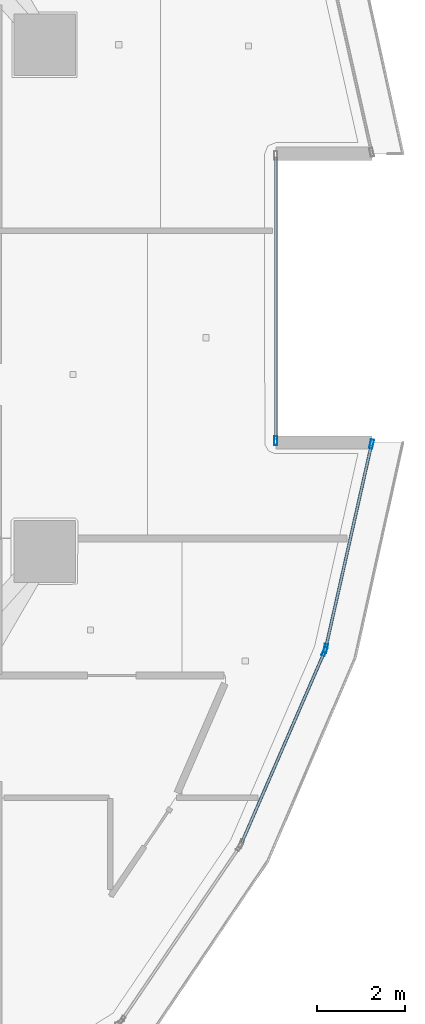
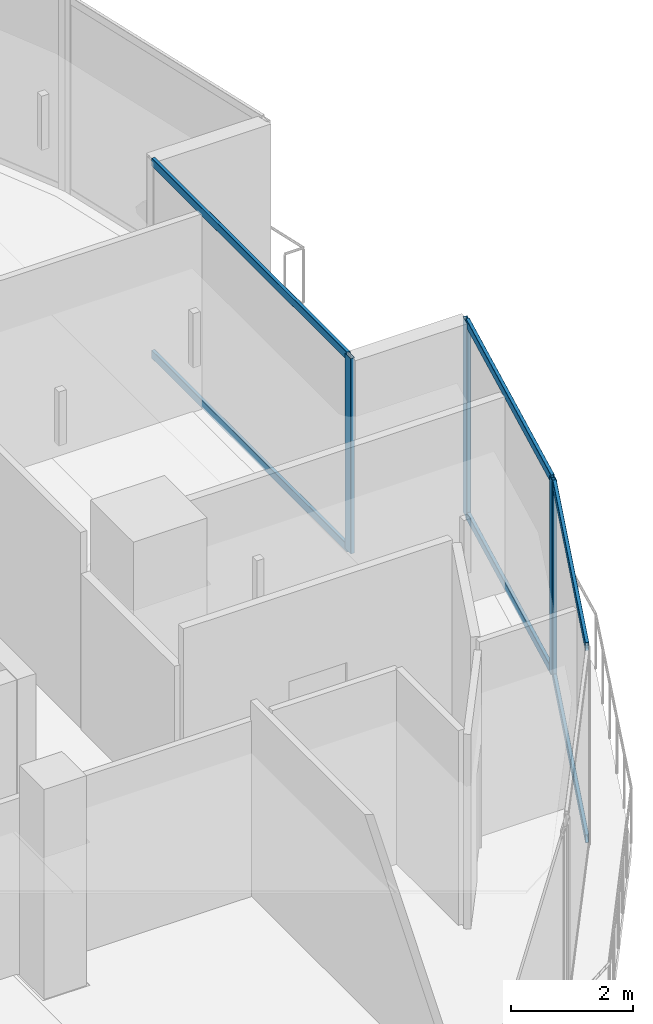
# One storey, part 10 of 25: 10 members, 3 elements without a shape of their own.
"""IFC4 building model written with IfcOpenShell, lengths in metres."""

import ifcopenshell
import ifcopenshell.guid

model = None  # the IFC model being written
_history = None  # IfcOwnerHistory: only IFC2X3 demands one
_inside = {}  # id of a spatial element -> (the spatial element, [elements in it])
_under = {}  # id of a project, library or spatial element -> (it, [spatial elements below it])
_declared = {}  # id of a project -> (the project, [libraries it declares])
_typed = {}  # id of a type object -> (the type object, [elements of that type])
_made_of = {}  # id of a material, layer set ... -> (it, [elements and type objects made of it])


def new_model(schema):
    """Start an empty IFC model of exactly this schema.

    Asked for "IFC4X3", IfcOpenShell would pick the latest addendum, in which some entities
    have other attributes; the version numbers below select the first issue.
    IFC2X3 requires an IfcOwnerHistory on every rooted entity: one is made here for all.
    """
    global model, _history
    if schema == "IFC4X3":
        model = ifcopenshell.file(schema_version=(4, 3, 0, 0))
    else:
        model = ifcopenshell.file(schema=schema)
    _inside.clear()
    _under.clear()
    _declared.clear()
    _typed.clear()
    _made_of.clear()
    _history = None
    if model.schema == "IFC2X3":
        org = make("IfcOrganization", Name="unknown")
        user = make(
            "IfcPersonAndOrganization",
            ThePerson=make("IfcPerson", FamilyName="unknown"),
            TheOrganization=org,
        )
        app = make(
            "IfcApplication",
            ApplicationDeveloper=org,
            Version="unknown",
            ApplicationFullName="unknown",
            ApplicationIdentifier="unknown",
        )
        _history = make(
            "IfcOwnerHistory",
            OwningUser=user,
            OwningApplication=app,
            ChangeAction="ADDED",
            CreationDate=0,
        )
    return model


def make(cls, **values):
    """One entity of the class cls with the attributes given. An attribute that is None is left unset."""
    return model.create_entity(
        cls, **{name: value for name, value in values.items() if value is not None}
    )


def rooted(cls, **values):
    """An entity with a GlobalId (a new one), such as an element, a storey or a relation."""
    return make(cls, GlobalId=ifcopenshell.guid.new(), OwnerHistory=_history, **values)


def si_unit(unit_type, name, prefix=None):
    """IfcSIUnit, for example si_unit("LENGTHUNIT", "METRE", prefix="MILLI")."""
    return make("IfcSIUnit", UnitType=unit_type, Prefix=prefix, Name=name)


def assignment(units):
    """IfcUnitAssignment: the units of a project."""
    return None if units is None else make("IfcUnitAssignment", Units=units)


def point(xyz):
    """IfcCartesianPoint."""
    return None if xyz is None else make("IfcCartesianPoint", Coordinates=xyz)


def direction(xyz):
    """IfcDirection."""
    return None if xyz is None else make("IfcDirection", DirectionRatios=xyz)


def frame(location, z_axis=None, x_axis=None):
    """IfcAxis2Placement3D, a coordinate frame: its origin and axes. An axis left out is left unset."""
    return make(
        "IfcAxis2Placement3D",
        Location=point(location),
        Axis=direction(z_axis),
        RefDirection=direction(x_axis),
    )


def frame_2d(location, x_axis=None):
    """IfcAxis2Placement2D, a coordinate frame in the plane: its origin and x axis."""
    return make(
        "IfcAxis2Placement2D", Location=point(location), RefDirection=direction(x_axis)
    )


def origin():
    """The frame at (0, 0, 0) with its axes left unset."""
    return frame((0.0, 0.0, 0.0))


def origin_2d():
    """The frame at (0, 0) in the plane with its x axis left unset."""
    return frame_2d((0.0, 0.0))


def place(relative_to, where):
    """IfcLocalPlacement: puts the frame where relative to a parent placement (None: the world)."""
    return make(
        "IfcLocalPlacement", PlacementRelTo=relative_to, RelativePlacement=where
    )


def context(
    kind, dimensions, precision=None, world=None, true_north=None, identifier=None
):
    """IfcGeometricRepresentationContext, for example the 3D "Model" context."""
    return make(
        "IfcGeometricRepresentationContext",
        ContextIdentifier=identifier,
        ContextType=kind,
        CoordinateSpaceDimension=dimensions,
        Precision=precision,
        WorldCoordinateSystem=world,
        TrueNorth=true_north,
    )


def subcontext(parent, identifier, kind, view, scale=None):
    """IfcGeometricRepresentationSubContext, for example "Body" below "Model"."""
    return make(
        "IfcGeometricRepresentationSubContext",
        ContextIdentifier=identifier,
        ContextType=kind,
        ParentContext=parent,
        TargetScale=scale,
        TargetView=view,
    )


def project(units=None, contexts=None):
    """IfcProject with its units and contexts."""
    return rooted(
        "IfcProject",
        Name="project",
        RepresentationContexts=contexts,
        UnitsInContext=assignment(units),
    )


def spatial(cls, under=None, at=None, **own):
    """A site, building, storey or space (cls), placed at a placement, below another one or the project."""
    s = rooted(cls, ObjectPlacement=at, **own)
    if under is not None:
        _under.setdefault(under.id(), (under, []))[1].append(s)
    return s


def profile(cls, at=None, kind="AREA", **sizes):
    """A parametric profile (cls). Its sizes go by their IFC names, for example OverallWidth=200.0."""
    return make(cls, ProfileType=kind, Position=at, **sizes)


def hollow_rectangle(**sizes):
    """IfcRectangleHollowProfileDef."""
    return profile("IfcRectangleHollowProfileDef", **sizes)


def extrude(swept, where, along, depth):
    """IfcExtrudedAreaSolid: the profile swept, set in the frame where, extruded along a direction by depth."""
    return make(
        "IfcExtrudedAreaSolid",
        SweptArea=swept,
        Position=where,
        ExtrudedDirection=direction(along),
        Depth=depth,
    )


def shape(context_of_items, identifier, shape_type, items):
    """IfcShapeRepresentation: the items that make up one representation, for example the "Body"."""
    return make(
        "IfcShapeRepresentation",
        ContextOfItems=context_of_items,
        RepresentationIdentifier=identifier,
        RepresentationType=shape_type,
        Items=items,
    )


def material(Name=None, Category=None):
    """IfcMaterial."""
    return make("IfcMaterial", Name=Name, Category=Category)


def layer(
    of_material, thickness, ventilated=None, Name=None, Category=None, Priority=None
):
    """IfcMaterialLayer: one layer of a wall or slab, of a material (None: an air gap)."""
    return make(
        "IfcMaterialLayer",
        Material=of_material,
        LayerThickness=thickness,
        IsVentilated=ventilated,
        Name=Name,
        Category=Category,
        Priority=Priority,
    )


def layer_set(layers, Name=None):
    """IfcMaterialLayerSet."""
    return make("IfcMaterialLayerSet", MaterialLayers=layers, LayerSetName=Name)


def material_profile(
    of_material, cross_section, Name=None, Category=None, Priority=None
):
    """IfcMaterialProfile: a cross section and its material."""
    return make(
        "IfcMaterialProfile",
        Name=Name,
        Material=of_material,
        Profile=cross_section,
        Priority=Priority,
        Category=Category,
    )


def profile_set(profiles, Name=None, composite=None):
    """IfcMaterialProfileSet."""
    return make(
        "IfcMaterialProfileSet",
        Name=Name,
        MaterialProfiles=profiles,
        CompositeProfile=composite,
    )


def made_of(thing, what):
    """Note that an element or type object is made of a material, layer set ...; save() writes the relation."""
    if what is not None:
        _made_of.setdefault(what.id(), (what, []))[1].append(thing)
    return thing


def type_object(cls, material=None, **own):
    """A type object (cls), such as IfcWallType, which elements share."""
    return made_of(rooted(cls, **own), material)


def element(
    cls,
    number,
    at=None,
    inside=None,
    cuts=None,
    type_object=None,
    material=None,
    context=None,
    identifier="Body",
    shape_type=None,
    held_by="IfcProductDefinitionShape",
    body=None,
    shapes=None,
    **own,
):
    """One element of the class cls, such as IfcWall. Its Tag is "e" and its number.

    at: its placement. inside: the storey or other place that contains it. cuts: it is an
    opening in that element (IfcRelVoidsElement). A single representation is given by context,
    identifier, shape_type and body (its items); several are given by shapes. held_by: the class
    of the entity that holds the representations. save() writes the other relations.
    """
    e = rooted(cls, Tag="e%d" % number, ObjectPlacement=at, **own)
    if body is not None:
        shapes = [shape(context, identifier, shape_type, body)]
    if shapes is not None:
        e.Representation = make(held_by, Representations=shapes)
    if inside is not None:
        _inside.setdefault(inside.id(), (inside, []))[1].append(e)
    if cuts is not None:
        rooted(
            "IfcRelVoidsElement", RelatingBuildingElement=cuts, RelatedOpeningElement=e
        )
    if type_object is not None:
        _typed.setdefault(type_object.id(), (type_object, []))[1].append(e)
    return made_of(e, material)


def aggregate(whole, parts):
    """IfcRelAggregates: a whole, such as a stair, and the parts it consists of."""
    return rooted("IfcRelAggregates", RelatingObject=whole, RelatedObjects=parts)


def save(model, path):
    """Write the relations noted so far, then the file.

    IfcRelAggregates (storeys below a building ...), IfcRelContainedInSpatialStructure (elements
    in a storey), IfcRelDefinesByType, IfcRelAssociatesMaterial and IfcRelDeclares: one each for
    every whole, place, type object, material and project.
    """
    for whole, parts in _under.values():
        aggregate(whole, parts)
    for where, things in _inside.values():
        rooted(
            "IfcRelContainedInSpatialStructure",
            RelatedElements=things,
            RelatingStructure=where,
        )
    for kind, things in _typed.values():
        rooted("IfcRelDefinesByType", RelatedObjects=things, RelatingType=kind)
    for what, things in _made_of.values():
        rooted("IfcRelAssociatesMaterial", RelatedObjects=things, RelatingMaterial=what)
    for by, libraries in _declared.values():
        rooted("IfcRelDeclares", RelatingContext=by, RelatedDefinitions=libraries)
    model.write(path)


model = new_model("IFC4")

# Units and contexts
model_context = context("Model", 3, precision=1e-05, world=origin(), true_north=direction((0.0, 1.0)))
body_context = subcontext(model_context, "Body", "Model", "MODEL_VIEW")
ifc_project = project(units=[si_unit("LENGTHUNIT", "METRE"), si_unit("AREAUNIT", "SQUARE_METRE"), si_unit("VOLUMEUNIT", "CUBIC_METRE"), si_unit("PLANEANGLEUNIT", "RADIAN"), si_unit("MASSUNIT", "GRAM", prefix="KILO")], contexts=[model_context])

# Site, building, storey
site_placement = place(None, origin())
site = spatial("IfcSite", under=ifc_project, at=site_placement, CompositionType="ELEMENT")
building_placement = place(site_placement, origin())
building = spatial("IfcBuilding", under=site, at=building_placement, Name="Qorvath Tower", CompositionType="ELEMENT")
storey_placement = place(building_placement, frame((0.0, 0.0, 314.39990234375)))
storey = spatial("IfcBuildingStorey", under=building, at=storey_placement, Name="L73", CompositionType="ELEMENT", Elevation=314.39990234375)

# Curtain wall, member
ifc_material_1 = material(Name="Anodised aluminium and triple low-E glass", Category="aluminium")
ifc_layer = layer(ifc_material_1, 0.179931640625)
ifc_layer_set = layer_set([ifc_layer], Name="CW-SYS-4")
curtain_wall_type = type_object("IfcCurtainWallType", Name="CW-SYS-4", PredefinedType="NOTDEFINED", material=ifc_layer_set)
curtain_wall_1_placement = place(storey_placement, origin())
curtain_wall_1 = element("IfcCurtainWall", 1, at=curtain_wall_1_placement, inside=storey, type_object=curtain_wall_type, Name="Curtain Wall CW-4 CW-T-L73-6.1", PredefinedType="NOTDEFINED")
ifc_material_2 = material(Name="Anodised aluminium 6063-T6", Category="aluminium")
ifc_material_profile_1 = material_profile(ifc_material_2, hollow_rectangle(XDim=0.074951171875, YDim=0.199951171875, WallThickness=0.00390625, InnerFilletRadius=0.00390625, OuterFilletRadius=0.008056640625, at=origin_2d()), Name="CWM 200x75")
ifc_profile_set_1 = profile_set([ifc_material_profile_1], Name="Anodised aluminium 6063-T6")
member_type_1 = type_object("IfcMemberType", Name="CWM-200", PredefinedType="MULLION", material=ifc_profile_set_1)
member_1_placement = place(storey_placement, frame((-5.733642578125, -8.030517578125, 0.0), z_axis=(0.0, 0.0, 1.0), x_axis=(-0.917479167341, 0.397783832623, 0.0)))
member_1 = element("IfcMember", 2, at=member_1_placement, type_object=member_type_1, Name="CW-4 mullion 2", PredefinedType="MULLION", context=body_context, shape_type="SweptSolid", body=[
    extrude(hollow_rectangle(XDim=0.074951171875, YDim=0.199951171875, WallThickness=0.00390625, InnerFilletRadius=0.00390625, OuterFilletRadius=0.008056640625, at=origin_2d()), origin(), (0.0, 0.0, 1.0), 3.91015625),
])

# Curtain wall, members
curtain_wall_2_placement = place(storey_placement, origin())
curtain_wall_2 = element("IfcCurtainWall", 3, at=curtain_wall_2_placement, inside=storey, type_object=curtain_wall_type, Name="Curtain Wall CW-4 CW-T-L73-7.1", PredefinedType="NOTDEFINED")
member_2_placement = place(storey_placement, frame((-5.71044921875, -7.95947265625, 0.0), z_axis=(0.0, 0.0, 1.0), x_axis=(-0.975610531022, 0.219508750985, 0.0)))
member_2 = element("IfcMember", 4, at=member_2_placement, type_object=member_type_1, Name="CW-4 mullion 1", PredefinedType="MULLION", context=body_context, shape_type="SweptSolid", body=[
    extrude(hollow_rectangle(XDim=0.074951171875, YDim=0.199951171875, WallThickness=0.00390625, InnerFilletRadius=0.00390625, OuterFilletRadius=0.008056640625, at=origin_2d()), origin(), (0.0, 0.0, 1.0), 3.91015625),
])
member_3_placement = place(storey_placement, frame((-4.66552734375, -3.314453125, 0.0), z_axis=(0.0, 0.0, 1.0), x_axis=(-0.975610531022, 0.219508750985, 0.0)))
member_3 = element("IfcMember", 5, at=member_3_placement, type_object=member_type_1, Name="CW-4 mullion 2", PredefinedType="MULLION", context=body_context, shape_type="SweptSolid", body=[
    extrude(hollow_rectangle(XDim=0.074951171875, YDim=0.199951171875, WallThickness=0.00390625, InnerFilletRadius=0.00390625, OuterFilletRadius=0.008056640625, at=origin_2d()), origin(), (0.0, 0.0, 1.0), 3.91015625),
])

# Curtain wall, member
curtain_wall_3_placement = place(storey_placement, origin())
curtain_wall_3 = element("IfcCurtainWall", 6, at=curtain_wall_3_placement, inside=storey, type_object=curtain_wall_type, Name="Curtain Wall CW-4 CW-T-L73-9.1", PredefinedType="NOTDEFINED")
member_4_placement = place(storey_placement, frame((-6.84228515625, -3.240234375, 0.0), z_axis=(0.0, 0.0, 1.0), x_axis=(-1.0, 0.0, 0.0)))
member_4 = element("IfcMember", 7, at=member_4_placement, type_object=member_type_1, Name="CW-4 mullion 1", PredefinedType="MULLION", context=body_context, shape_type="SweptSolid", body=[
    extrude(hollow_rectangle(XDim=0.074951171875, YDim=0.199951171875, WallThickness=0.00390625, InnerFilletRadius=0.00390625, OuterFilletRadius=0.008056640625, at=origin_2d()), origin(), (0.0, 0.0, 1.0), 3.91015625),
])

# Member
ifc_material_3 = material(Name="Anodised aluminium 6063-T6", Category="aluminium")
ifc_material_profile_2 = material_profile(ifc_material_3, hollow_rectangle(XDim=0.06494140625, YDim=0.159912109375, WallThickness=0.00341796875, InnerFilletRadius=0.00341796875, OuterFilletRadius=0.007080078125, at=origin_2d()), Name="CWT 160x65")
ifc_profile_set_2 = profile_set([ifc_material_profile_2], Name="Anodised aluminium 6063-T6")
member_type_2 = type_object("IfcMemberType", Name="CWT-160", PredefinedType="USERDEFINED", material=ifc_profile_set_2)
member_5_placement = place(storey_placement, frame((-7.61279296875, -12.364501953125, 0.032470703125), z_axis=(0.397807723761, 0.917468808689, 0.0), x_axis=(-0.917468808689, 0.397807723761, 0.0)))
member_5 = element("IfcMember", 8, at=member_5_placement, type_object=member_type_2, Name="CW-4 transom 1.1", ObjectType="TRANSOM", PredefinedType="USERDEFINED", context=body_context, shape_type="SweptSolid", body=[
    extrude(hollow_rectangle(XDim=0.06494140625, YDim=0.159912109375, WallThickness=0.00341796875, InnerFilletRadius=0.00341796875, OuterFilletRadius=0.007080078125, at=origin_2d()), origin(), (0.0, 0.0, 1.0), 4.686279296875),
])

member_6_placement = place(storey_placement, frame((-7.61279296875, -12.364501953125, 3.877685546875), z_axis=(0.397807723761, 0.917468808689, 0.0), x_axis=(-0.917468808689, 0.397807723761, 0.0)))
member_6 = element("IfcMember", 9, at=member_6_placement, type_object=member_type_2, Name="CW-4 transom 1.2", ObjectType="TRANSOM", PredefinedType="USERDEFINED", context=body_context, shape_type="SweptSolid", body=[
    extrude(hollow_rectangle(XDim=0.06494140625, YDim=0.159912109375, WallThickness=0.00341796875, InnerFilletRadius=0.00341796875, OuterFilletRadius=0.007080078125, at=origin_2d()), origin(), (0.0, 0.0, 1.0), 4.686279296875),
])

aggregate(curtain_wall_1, [member_1, member_5, member_6])

member_7_placement = place(storey_placement, frame((-5.702392578125, -7.9228515625, 0.032470703125), z_axis=(0.219544427467, 0.975602503261, 0.0), x_axis=(-0.975602503261, 0.219544427467, 0.0)))
member_7 = element("IfcMember", 10, at=member_7_placement, type_object=member_type_2, Name="CW-4 transom 1.1", ObjectType="TRANSOM", PredefinedType="USERDEFINED", context=body_context, shape_type="SweptSolid", body=[
    extrude(hollow_rectangle(XDim=0.06494140625, YDim=0.159912109375, WallThickness=0.00341796875, InnerFilletRadius=0.00341796875, OuterFilletRadius=0.007080078125, at=origin_2d()), origin(), (0.0, 0.0, 1.0), 4.68603515625),
])

member_8_placement = place(storey_placement, frame((-5.702392578125, -7.9228515625, 3.877685546875), z_axis=(0.219544427467, 0.975602503261, 0.0), x_axis=(-0.975602503261, 0.219544427467, 0.0)))
member_8 = element("IfcMember", 11, at=member_8_placement, type_object=member_type_2, Name="CW-4 transom 1.2", ObjectType="TRANSOM", PredefinedType="USERDEFINED", context=body_context, shape_type="SweptSolid", body=[
    extrude(hollow_rectangle(XDim=0.06494140625, YDim=0.159912109375, WallThickness=0.00341796875, InnerFilletRadius=0.00341796875, OuterFilletRadius=0.007080078125, at=origin_2d()), origin(), (0.0, 0.0, 1.0), 4.68603515625),
])

aggregate(curtain_wall_2, [member_2, member_3, member_7, member_8])

member_9_placement = place(storey_placement, frame((-6.84228515625, -3.202880859375, 0.032470703125), z_axis=(0.0, 1.0, 0.0), x_axis=(-1.0, 0.0, 0.0)))
member_9 = element("IfcMember", 12, at=member_9_placement, type_object=member_type_2, Name="CW-4 transom 1.1", ObjectType="TRANSOM", PredefinedType="USERDEFINED", context=body_context, shape_type="SweptSolid", body=[
    extrude(hollow_rectangle(XDim=0.06494140625, YDim=0.159912109375, WallThickness=0.00341796875, InnerFilletRadius=0.00341796875, OuterFilletRadius=0.007080078125, at=origin_2d()), origin(), (0.0, 0.0, 1.0), 6.40576171875),
])

member_10_placement = place(storey_placement, frame((-6.84228515625, -3.202880859375, 3.877685546875), z_axis=(0.0, 1.0, 0.0), x_axis=(-1.0, 0.0, 0.0)))
member_10 = element("IfcMember", 13, at=member_10_placement, type_object=member_type_2, Name="CW-4 transom 1.2", ObjectType="TRANSOM", PredefinedType="USERDEFINED", context=body_context, shape_type="SweptSolid", body=[
    extrude(hollow_rectangle(XDim=0.06494140625, YDim=0.159912109375, WallThickness=0.00341796875, InnerFilletRadius=0.00341796875, OuterFilletRadius=0.007080078125, at=origin_2d()), origin(), (0.0, 0.0, 1.0), 6.40576171875),
])

aggregate(curtain_wall_3, [member_4, member_9, member_10])

save(model, "model.ifc")
